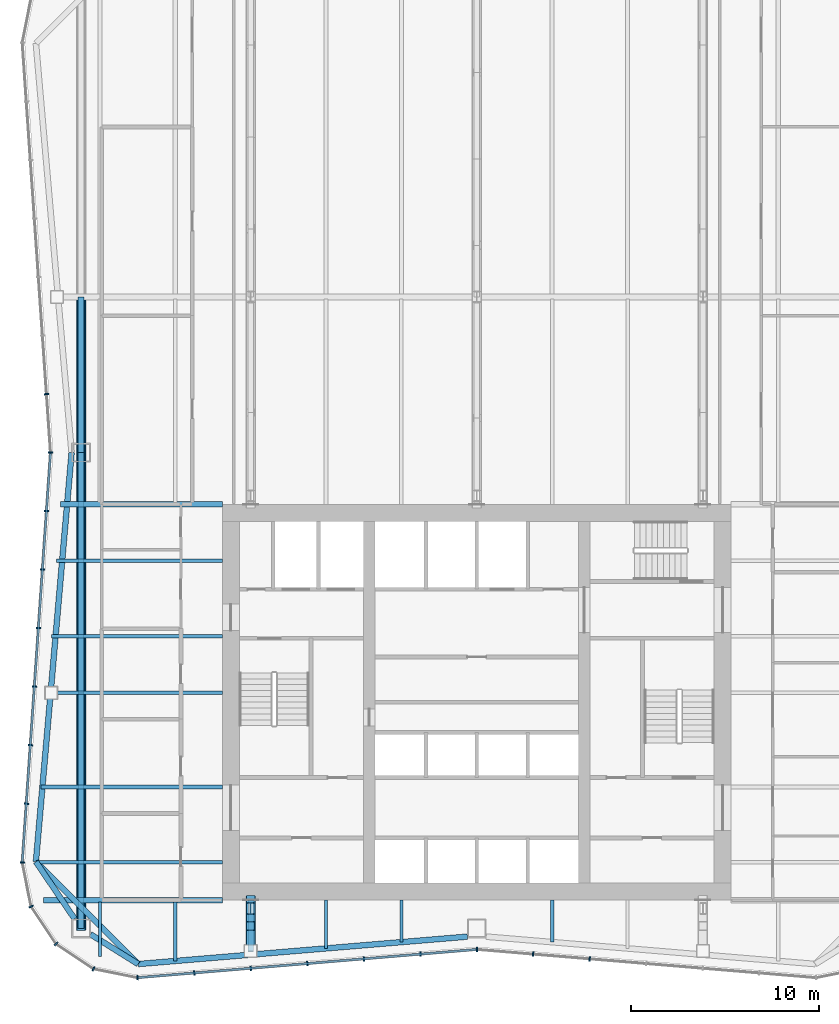
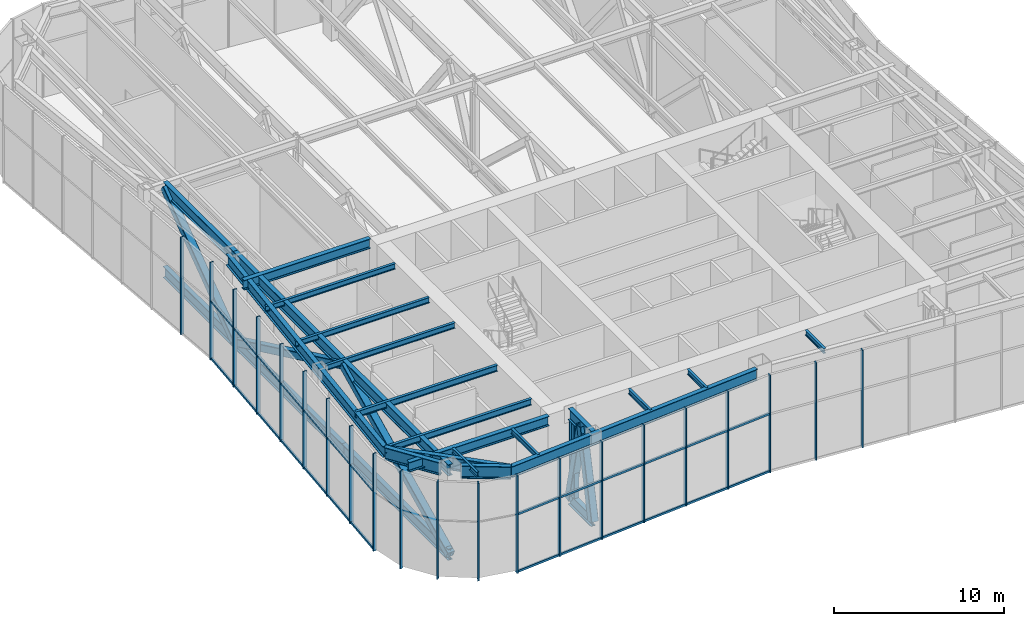
# One storey, part 2 of 14: 39 members, 17 beams, 3 elements without a shape of their own.
"""IFC4 building model written with IfcOpenShell, lengths in metres."""

from ifc_helpers import new_model, si_unit, direction, frame, origin, origin_2d, place, context, subcontext, project, spatial, rectangle, hollow_rectangle, i_section, extrude, material, material_profile, profile_set, type_object, element, aggregate, save


model = new_model("IFC4")

# Units and contexts
model_context = context("Model", 3, precision=1e-05, world=origin(), true_north=direction((0.0, 1.0)))
body_context = subcontext(model_context, "Body", "Model", "MODEL_VIEW")
ifc_project = project(units=[si_unit("LENGTHUNIT", "METRE"), si_unit("AREAUNIT", "SQUARE_METRE"), si_unit("VOLUMEUNIT", "CUBIC_METRE"), si_unit("PLANEANGLEUNIT", "RADIAN"), si_unit("MASSUNIT", "GRAM", prefix="KILO")], contexts=[model_context])

# Site, building, storey
site_placement = place(None, origin())
site = spatial("IfcSite", under=ifc_project, at=site_placement, CompositionType="ELEMENT")
building_placement = place(site_placement, origin())
building = spatial("IfcBuilding", under=site, at=building_placement, Name="Verdant Reach Tower", CompositionType="ELEMENT")
storey_placement = place(building_placement, frame((0.0, 0.0, 226.0)))
storey = spatial("IfcBuildingStorey", under=building, at=storey_placement, Name="L52 Plant", CompositionType="ELEMENT", Elevation=226.0)

# Curtain wall, members
ifc_material_1 = material(Name="Anodised aluminium", Category="aluminium")
curtain_wall_type = type_object("IfcCurtainWallType", Name="EN-CW SYSTEM PLANT", PredefinedType="NOTDEFINED", material=ifc_material_1)
curtain_wall_1_placement = place(storey_placement, origin())
curtain_wall_1 = element("IfcCurtainWall", 1, at=curtain_wall_1_placement, inside=storey, type_object=curtain_wall_type, Name="Curtain wall west, L52", PredefinedType="NOTDEFINED")
ifc_material_profile_1 = material_profile(ifc_material_1, rectangle(XDim=0.238037109375, YDim=0.080078125, at=origin_2d()), Name="Mullion 80x240")
ifc_profile_set_1 = profile_set([ifc_material_profile_1], Name="Anodised aluminium")
member_type_1 = type_object("IfcMemberType", Name="EN-MULLION PLANT", PredefinedType="MULLION", material=ifc_profile_set_1)
member_1_placement = place(storey_placement, frame((-22.8330078125, 44.348876953125, -0.35009765625), z_axis=(0.0, 0.0, 1.0), x_axis=(-0.997630328423, -0.068802091615, 0.0)))
member_1 = element("IfcMember", 2, at=member_1_placement, type_object=member_type_1, Name="Mullion west face part 1 7, L52", PredefinedType="MULLION", context=body_context, shape_type="SweptSolid", body=[
    extrude(rectangle(XDim=0.238037109375, YDim=0.080078125, at=origin_2d()), origin(), (0.0, 0.0, 1.0), 7.0),
])
member_2_placement = place(storey_placement, frame((-22.618896484375, 41.25, -0.35009765625), z_axis=(0.0, 0.0, 1.0), x_axis=(-1.0, 0.0, 0.0)))
member_2 = element("IfcMember", 3, at=member_2_placement, type_object=member_type_1, Name="Mullion west face part 2 1, L52", PredefinedType="MULLION", context=body_context, shape_type="SweptSolid", body=[
    extrude(rectangle(XDim=0.238037109375, YDim=0.080078125, at=origin_2d()), origin(), (0.0, 0.0, 1.0), 7.0),
])
member_3_placement = place(storey_placement, frame((-22.8330078125, 38.151123046875, -0.35009765625), z_axis=(0.0, 0.0, 1.0), x_axis=(-0.997630328423, 0.068802091615, 0.0)))
member_3 = element("IfcMember", 4, at=member_3_placement, type_object=member_type_1, Name="Mullion west face part 2 2, L52", PredefinedType="MULLION", context=body_context, shape_type="SweptSolid", body=[
    extrude(rectangle(XDim=0.238037109375, YDim=0.080078125, at=origin_2d()), origin(), (0.0, 0.0, 1.0), 7.0),
])
member_4_placement = place(storey_placement, frame((-23.04736328125, 35.0439453125, -0.35009765625), z_axis=(0.0, 0.0, 1.0), x_axis=(-0.997630328423, 0.068802091615, 0.0)))
member_4 = element("IfcMember", 5, at=member_4_placement, type_object=member_type_1, Name="Mullion west face part 2 3, L52", PredefinedType="MULLION", context=body_context, shape_type="SweptSolid", body=[
    extrude(rectangle(XDim=0.238037109375, YDim=0.080078125, at=origin_2d()), origin(), (0.0, 0.0, 1.0), 7.0),
])
member_5_placement = place(storey_placement, frame((-23.261474609375, 31.936767578125, -0.35009765625), z_axis=(0.0, 0.0, 1.0), x_axis=(-0.997630328423, 0.068802091615, 0.0)))
member_5 = element("IfcMember", 6, at=member_5_placement, type_object=member_type_1, Name="Mullion west face part 2 4, L52", PredefinedType="MULLION", context=body_context, shape_type="SweptSolid", body=[
    extrude(rectangle(XDim=0.238037109375, YDim=0.080078125, at=origin_2d()), origin(), (0.0, 0.0, 1.0), 7.0),
])
member_6_placement = place(storey_placement, frame((-23.475830078125, 28.82958984375, -0.35009765625), z_axis=(0.0, 0.0, 1.0), x_axis=(-0.997630328423, 0.068802091615, 0.0)))
member_6 = element("IfcMember", 7, at=member_6_placement, type_object=member_type_1, Name="Mullion west face part 2 5, L52", PredefinedType="MULLION", context=body_context, shape_type="SweptSolid", body=[
    extrude(rectangle(XDim=0.238037109375, YDim=0.080078125, at=origin_2d()), origin(), (0.0, 0.0, 1.0), 7.0),
])
member_7_placement = place(storey_placement, frame((-23.690185546875, 25.722412109375, -0.35009765625), z_axis=(0.0, 0.0, 1.0), x_axis=(-0.997630328423, 0.068802091615, 0.0)))
member_7 = element("IfcMember", 8, at=member_7_placement, type_object=member_type_1, Name="Mullion west face part 2 6, L52", PredefinedType="MULLION", context=body_context, shape_type="SweptSolid", body=[
    extrude(rectangle(XDim=0.238037109375, YDim=0.080078125, at=origin_2d()), origin(), (0.0, 0.0, 1.0), 7.0),
])
member_8_placement = place(storey_placement, frame((-23.904541015625, 22.615234375, -0.35009765625), z_axis=(0.0, 0.0, 1.0), x_axis=(-0.997630328423, 0.068802091615, 0.0)))
member_8 = element("IfcMember", 9, at=member_8_placement, type_object=member_type_1, Name="Mullion west face part 2 7, L52", PredefinedType="MULLION", context=body_context, shape_type="SweptSolid", body=[
    extrude(rectangle(XDim=0.238037109375, YDim=0.080078125, at=origin_2d()), origin(), (0.0, 0.0, 1.0), 7.0),
])

curtain_wall_2_placement = place(storey_placement, origin())
curtain_wall_2 = element("IfcCurtainWall", 10, at=curtain_wall_2_placement, inside=storey, type_object=curtain_wall_type, Name="Curtain wall south-west corner, L52", PredefinedType="NOTDEFINED")
member_9_placement = place(storey_placement, frame((-24.11865234375, 19.492431640625, -0.35009765625), z_axis=(0.0, 0.0, 1.0), x_axis=(-0.997969180898, -0.063698618332, 0.0)))
member_9 = element("IfcMember", 11, at=member_9_placement, type_object=member_type_1, Name="Mullion south-west corner 1, L52", PredefinedType="MULLION", context=body_context, shape_type="SweptSolid", body=[
    extrude(rectangle(XDim=0.238037109375, YDim=0.080078125, at=origin_2d()), origin(), (0.0, 0.0, 1.0), 7.0),
])
member_10_placement = place(storey_placement, frame((-23.6533203125, 17.158447265625, -0.35009765625), z_axis=(0.0, 0.0, 1.0), x_axis=(-0.923875215753, -0.382693853776, 0.0)))
member_10 = element("IfcMember", 12, at=member_10_placement, type_object=member_type_1, Name="Mullion south-west corner 2, L52", PredefinedType="MULLION", context=body_context, shape_type="SweptSolid", body=[
    extrude(rectangle(XDim=0.238037109375, YDim=0.080078125, at=origin_2d()), origin(), (0.0, 0.0, 1.0), 7.0),
])
member_11_placement = place(storey_placement, frame((-22.32666015625, 15.17333984375, -0.35009765625), z_axis=(0.0, 0.0, 1.0), x_axis=(-0.707106781187, -0.707106781187, 0.0)))
member_11 = element("IfcMember", 13, at=member_11_placement, type_object=member_type_1, Name="Mullion south-west corner 3, L52", PredefinedType="MULLION", context=body_context, shape_type="SweptSolid", body=[
    extrude(rectangle(XDim=0.238037109375, YDim=0.080078125, at=origin_2d()), origin(), (0.0, 0.0, 1.0), 7.0),
])
member_12_placement = place(storey_placement, frame((-20.341552734375, 13.8466796875, -0.35009765625), z_axis=(0.0, 0.0, 1.0), x_axis=(-0.382693853776, -0.923875215753, 0.0)))
member_12 = element("IfcMember", 14, at=member_12_placement, type_object=member_type_1, Name="Mullion south-west corner 4, L52", PredefinedType="MULLION", context=body_context, shape_type="SweptSolid", body=[
    extrude(rectangle(XDim=0.238037109375, YDim=0.080078125, at=origin_2d()), origin(), (0.0, 0.0, 1.0), 7.0),
])
aggregate(curtain_wall_2, [member_9, member_10, member_11, member_12])

curtain_wall_3_placement = place(storey_placement, origin())
curtain_wall_3 = element("IfcCurtainWall", 15, at=curtain_wall_3_placement, inside=storey, type_object=curtain_wall_type, Name="Curtain wall south, L52", PredefinedType="NOTDEFINED")
member_13_placement = place(storey_placement, frame((-18.0068359375, 13.381103515625, -0.35009765625), z_axis=(0.0, 0.0, 1.0), x_axis=(-0.056569187765, -0.998398681387, 0.0)))
member_13 = element("IfcMember", 16, at=member_13_placement, type_object=member_type_1, Name="Mullion south face part 1 1, L52", PredefinedType="MULLION", context=body_context, shape_type="SweptSolid", body=[
    extrude(rectangle(XDim=0.238037109375, YDim=0.080078125, at=origin_2d()), origin(), (0.0, 0.0, 1.0), 7.0),
])
member_14_placement = place(storey_placement, frame((-14.990234375, 13.63134765625, -0.35009765625), z_axis=(0.0, 0.0, 1.0), x_axis=(0.083045479859, -0.996545758244, 0.0)))
member_14 = element("IfcMember", 17, at=member_14_placement, type_object=member_type_1, Name="Mullion south face part 1 2, L52", PredefinedType="MULLION", context=body_context, shape_type="SweptSolid", body=[
    extrude(rectangle(XDim=0.238037109375, YDim=0.080078125, at=origin_2d()), origin(), (0.0, 0.0, 1.0), 7.0),
])
member_15_placement = place(storey_placement, frame((-11.990234375, 13.88134765625, -0.35009765625), z_axis=(0.0, 0.0, 1.0), x_axis=(0.083045479859, -0.996545758244, 0.0)))
member_15 = element("IfcMember", 18, at=member_15_placement, type_object=member_type_1, Name="Mullion south face part 1 3, L52", PredefinedType="MULLION", context=body_context, shape_type="SweptSolid", body=[
    extrude(rectangle(XDim=0.238037109375, YDim=0.080078125, at=origin_2d()), origin(), (0.0, 0.0, 1.0), 7.0),
])
member_16_placement = place(storey_placement, frame((-8.990234375, 14.13134765625, -0.35009765625), z_axis=(0.0, 0.0, 1.0), x_axis=(0.083045479859, -0.996545758244, 0.0)))
member_16 = element("IfcMember", 19, at=member_16_placement, type_object=member_type_1, Name="Mullion south face part 1 4, L52", PredefinedType="MULLION", context=body_context, shape_type="SweptSolid", body=[
    extrude(rectangle(XDim=0.238037109375, YDim=0.080078125, at=origin_2d()), origin(), (0.0, 0.0, 1.0), 7.0),
])
member_17_placement = place(storey_placement, frame((-5.990234375, 14.38134765625, -0.35009765625), z_axis=(0.0, 0.0, 1.0), x_axis=(0.083045479859, -0.996545758244, 0.0)))
member_17 = element("IfcMember", 20, at=member_17_placement, type_object=member_type_1, Name="Mullion south face part 1 5, L52", PredefinedType="MULLION", context=body_context, shape_type="SweptSolid", body=[
    extrude(rectangle(XDim=0.238037109375, YDim=0.080078125, at=origin_2d()), origin(), (0.0, 0.0, 1.0), 7.0),
])
member_18_placement = place(storey_placement, frame((-2.990234375, 14.63134765625, -0.35009765625), z_axis=(0.0, 0.0, 1.0), x_axis=(0.083045479859, -0.996545758244, 0.0)))
member_18 = element("IfcMember", 21, at=member_18_placement, type_object=member_type_1, Name="Mullion south face part 1 6, L52", PredefinedType="MULLION", context=body_context, shape_type="SweptSolid", body=[
    extrude(rectangle(XDim=0.238037109375, YDim=0.080078125, at=origin_2d()), origin(), (0.0, 0.0, 1.0), 7.0),
])
member_19_placement = place(storey_placement, frame((0.0, 14.881103515625, -0.35009765625), z_axis=(0.0, 0.0, 1.0), x_axis=(0.0, -1.0, 0.0)))
member_19 = element("IfcMember", 22, at=member_19_placement, type_object=member_type_1, Name="Mullion south face part 2 1, L52", PredefinedType="MULLION", context=body_context, shape_type="SweptSolid", body=[
    extrude(rectangle(XDim=0.238037109375, YDim=0.080078125, at=origin_2d()), origin(), (0.0, 0.0, 1.0), 7.0),
])
member_20_placement = place(storey_placement, frame((2.990234375, 14.63134765625, -0.35009765625), z_axis=(0.0, 0.0, 1.0), x_axis=(-0.083045479859, -0.996545758244, 0.0)))
member_20 = element("IfcMember", 23, at=member_20_placement, type_object=member_type_1, Name="Mullion south face part 2 2, L52", PredefinedType="MULLION", context=body_context, shape_type="SweptSolid", body=[
    extrude(rectangle(XDim=0.238037109375, YDim=0.080078125, at=origin_2d()), origin(), (0.0, 0.0, 1.0), 7.0),
])
member_21_placement = place(storey_placement, frame((5.990234375, 14.38134765625, -0.35009765625), z_axis=(0.0, 0.0, 1.0), x_axis=(-0.083045479859, -0.996545758244, 0.0)))
member_21 = element("IfcMember", 24, at=member_21_placement, type_object=member_type_1, Name="Mullion south face part 2 3, L52", PredefinedType="MULLION", context=body_context, shape_type="SweptSolid", body=[
    extrude(rectangle(XDim=0.238037109375, YDim=0.080078125, at=origin_2d()), origin(), (0.0, 0.0, 1.0), 7.0),
])

# Member
ifc_material_profile_2 = material_profile(ifc_material_1, rectangle(XDim=0.1201171875, YDim=0.14990234375, at=origin_2d()), Name="Transom 150x120")
ifc_profile_set_2 = profile_set([ifc_material_profile_2], Name="Anodised aluminium")
member_type_2 = type_object("IfcMemberType", Name="EN-TRANSOM PLANT", PredefinedType="USERDEFINED", material=ifc_profile_set_2)
member_22_placement = place(storey_placement, frame((-22.621826171875, 41.210205078125, -0.27490234375), z_axis=(-0.068761218296, -0.997633146431, 0.0), x_axis=(0.997633146431, -0.068761218296, 0.0)))
member_22 = element("IfcMember", 25, at=member_22_placement, type_object=member_type_2, Name="Transom west face part 2 1.1, L52", ObjectType="TRANSOM", PredefinedType="USERDEFINED", context=body_context, shape_type="SweptSolid", body=[
    extrude(rectangle(XDim=0.1201171875, YDim=0.14990234375, at=origin_2d()), origin(), (0.0, 0.0, 1.0), 21.7294921875),
])

member_23_placement = place(storey_placement, frame((-22.621826171875, 41.210205078125, 3.85009765625), z_axis=(-0.068761218296, -0.997633146431, 0.0), x_axis=(0.997633146431, -0.068761218296, 0.0)))
member_23 = element("IfcMember", 26, at=member_23_placement, type_object=member_type_2, Name="Transom west face part 2 1.2, L52", ObjectType="TRANSOM", PredefinedType="USERDEFINED", context=body_context, shape_type="SweptSolid", body=[
    extrude(rectangle(XDim=0.1201171875, YDim=0.14990234375, at=origin_2d()), origin(), (0.0, 0.0, 1.0), 21.7294921875),
])

aggregate(curtain_wall_1, [member_1, member_2, member_3, member_4, member_5, member_6, member_7, member_8, member_22, member_23])

member_24_placement = place(storey_placement, frame((-17.966796875, 13.384521484375, -0.27490234375), z_axis=(0.996549220477, 0.083003922598, 0.0), x_axis=(-0.083003922598, 0.996549220477, 0.0)))
member_24 = element("IfcMember", 27, at=member_24_placement, type_object=member_type_2, Name="Transom south face part 1 1.1, L52", ObjectType="TRANSOM", PredefinedType="USERDEFINED", context=body_context, shape_type="SweptSolid", body=[
    extrude(rectangle(XDim=0.1201171875, YDim=0.14990234375, at=origin_2d()), origin(), (0.0, 0.0, 1.0), 17.989013671875),
])

member_25_placement = place(storey_placement, frame((-17.966796875, 13.384521484375, 3.85009765625), z_axis=(0.996549220477, 0.083003922598, 0.0), x_axis=(-0.083003922598, 0.996549220477, 0.0)))
member_25 = element("IfcMember", 28, at=member_25_placement, type_object=member_type_2, Name="Transom south face part 1 1.2, L52", ObjectType="TRANSOM", PredefinedType="USERDEFINED", context=body_context, shape_type="SweptSolid", body=[
    extrude(rectangle(XDim=0.1201171875, YDim=0.14990234375, at=origin_2d()), origin(), (0.0, 0.0, 1.0), 17.989013671875),
])

aggregate(curtain_wall_3, [member_13, member_14, member_15, member_16, member_17, member_18, member_24, member_25, member_19, member_20, member_21])

# Beams
ifc_material_2 = material(Name="Steel S355", Category="steel")
ifc_material_profile_3 = material_profile(ifc_material_2, i_section(OverallWidth=0.300048828125, OverallDepth=0.699951171875, WebThickness=0.01708984375, FlangeThickness=0.031982421875, FilletRadius=0.027099609375, at=origin_2d()), Name="HEB 700")
ifc_profile_set_3 = profile_set([ifc_material_profile_3], Name="Steel S355")
beam_type_1 = type_object("IfcBeamType", Name="ST-BEAM-HEB700", PredefinedType="BEAM", material=ifc_profile_set_3)
beam_1_placement = place(storey_placement, frame((-13.5, 38.5, 6.52001953125), z_axis=(-1.0, 0.0, 0.0), x_axis=(0.0, -1.0, 0.0)))
element("IfcBeam", 29, at=beam_1_placement, inside=storey, type_object=beam_type_1, Name="Trimmer beam, L52 Plant", PredefinedType="BEAM", context=body_context, shape_type="SweptSolid", body=[
    extrude(i_section(OverallWidth=0.300048828125, OverallDepth=0.699951171875, WebThickness=0.01708984375, FlangeThickness=0.031982421875, FilletRadius=0.027099609375, at=origin_2d()), origin(), (0.0, 0.0, 1.0), 8.588134765625),
])
beam_2_placement = place(storey_placement, frame((-13.5, 17.5, 6.52001953125), z_axis=(-1.0, 0.0, 0.0), x_axis=(0.0, -1.0, 0.0)))
element("IfcBeam", 30, at=beam_2_placement, inside=storey, type_object=beam_type_1, Name="Trimmer beam, L52 Plant", PredefinedType="BEAM", context=body_context, shape_type="SweptSolid", body=[
    extrude(i_section(OverallWidth=0.300048828125, OverallDepth=0.699951171875, WebThickness=0.01708984375, FlangeThickness=0.031982421875, FilletRadius=0.027099609375, at=origin_2d()), origin(), (0.0, 0.0, 1.0), 9.490478515625),
])
ifc_material_profile_4 = material_profile(ifc_material_2, i_section(OverallWidth=0.302001953125, OverallDepth=0.909912109375, WebThickness=0.02099609375, FlangeThickness=0.0400390625, FilletRadius=0.030029296875, at=origin_2d()), Name="HEM 900")
ifc_profile_set_4 = profile_set([ifc_material_profile_4], Name="Steel S355")
beam_type_2 = type_object("IfcBeamType", Name="ST-BEAM-HEM900", PredefinedType="BEAM", material=ifc_profile_set_4)
beam_3_placement = place(storey_placement, frame((-20.5, 15.687744140625, 6.4150390625), z_axis=(0.848163521635, -0.529734500073, 0.0), x_axis=(0.529734500073, 0.848163521635, 0.0)))
element("IfcBeam", 31, at=beam_3_placement, inside=storey, type_object=beam_type_2, Name="Column stub beam, L52 Plant", PredefinedType="BEAM", context=body_context, shape_type="SweptSolid", body=[
    extrude(i_section(OverallWidth=0.302001953125, OverallDepth=0.909912109375, WebThickness=0.02099609375, FlangeThickness=0.0400390625, FilletRadius=0.030029296875, at=origin_2d()), origin(), (0.0, 0.0, 1.0), 2.98779296875),
])
beam_4_placement = place(storey_placement, frame((-21.33837890625, 16.5, 6.4150390625), z_axis=(-0.560703975309, 0.828016335631, 0.0), x_axis=(-0.828016335631, -0.560703975309, 0.0)))
element("IfcBeam", 32, at=beam_4_placement, inside=storey, type_object=beam_type_2, Name="Column stub beam, L52 Plant", PredefinedType="BEAM", context=body_context, shape_type="SweptSolid", body=[
    extrude(i_section(OverallWidth=0.302001953125, OverallDepth=0.909912109375, WebThickness=0.02099609375, FlangeThickness=0.0400390625, FilletRadius=0.030029296875, at=origin_2d()), origin(), (0.0, 0.0, 1.0), 3.669677734375),
])
ifc_material_profile_5 = material_profile(ifc_material_2, i_section(OverallWidth=0.169921875, OverallDepth=0.360107421875, WebThickness=0.008056640625, FlangeThickness=0.0126953125, FilletRadius=0.01806640625, at=origin_2d()), Name="IPE 360")
ifc_profile_set_5 = profile_set([ifc_material_profile_5], Name="Steel S355")
beam_type_3 = type_object("IfcBeamType", Name="ST-JOIST-IPE360", PredefinedType="JOIST", material=ifc_profile_set_5)
beam_5_placement = place(storey_placement, frame((-20.0, 17.39990234375, 6.68994140625), z_axis=(0.0, -1.0, 0.0), x_axis=(1.0, 0.0, 0.0)))
element("IfcBeam", 33, at=beam_5_placement, inside=storey, type_object=beam_type_3, Name="Floor joist, L52 Plant", PredefinedType="JOIST", context=body_context, shape_type="SweptSolid", body=[
    extrude(i_section(OverallWidth=0.169921875, OverallDepth=0.360107421875, WebThickness=0.008056640625, FlangeThickness=0.0126953125, FilletRadius=0.01806640625, at=origin_2d()), origin(), (0.0, 0.0, 1.0), 2.890380859375),
])
beam_6_placement = place(storey_placement, frame((-16.0, 17.39990234375, 6.68994140625), z_axis=(0.0, -1.0, 0.0), x_axis=(1.0, 0.0, 0.0)))
element("IfcBeam", 34, at=beam_6_placement, inside=storey, type_object=beam_type_3, Name="Floor joist, L52 Plant", PredefinedType="JOIST", context=body_context, shape_type="SweptSolid", body=[
    extrude(i_section(OverallWidth=0.169921875, OverallDepth=0.360107421875, WebThickness=0.008056640625, FlangeThickness=0.0126953125, FilletRadius=0.01806640625, at=origin_2d()), origin(), (0.0, 0.0, 1.0), 3.131103515625),
])
beam_7_placement = place(storey_placement, frame((-8.0, 17.5, 6.68994140625), z_axis=(0.0, -1.0, 0.0), x_axis=(1.0, 0.0, 0.0)))
element("IfcBeam", 35, at=beam_7_placement, inside=storey, type_object=beam_type_3, Name="Floor joist, L52 Plant", PredefinedType="JOIST", context=body_context, shape_type="SweptSolid", body=[
    extrude(i_section(OverallWidth=0.169921875, OverallDepth=0.360107421875, WebThickness=0.008056640625, FlangeThickness=0.0126953125, FilletRadius=0.01806640625, at=origin_2d()), origin(), (0.0, 0.0, 1.0), 2.564697265625),
])
for number, where, z_axis, x_axis, name in (
    (36, (-4.0, 17.5, 6.68994140625), (0.0, -1.0, 0.0), (1.0, 0.0, 0.0), "Floor joist, L52 Plant"),
    (37, (4.0, 17.5, 6.68994140625), (0.0, -1.0, 0.0), (1.0, 0.0, 0.0), "Floor joist, L52 Plant"),
):
    element("IfcBeam", number, at=place(storey_placement, frame(where, z_axis=z_axis, x_axis=x_axis)), inside=storey, type_object=beam_type_3, Name=name, PredefinedType="JOIST", context=body_context, shape_type="SweptSolid", body=[
        extrude(i_section(OverallWidth=0.169921875, OverallDepth=0.360107421875, WebThickness=0.008056640625, FlangeThickness=0.0126953125, FilletRadius=0.01806640625, at=origin_2d()), origin(), (0.0, 0.0, 1.0), 2.231201171875),
    ])
ifc_material_profile_6 = material_profile(ifc_material_2, i_section(OverallWidth=0.179931640625, OverallDepth=0.39990234375, WebThickness=0.008544921875, FlangeThickness=0.013427734375, FilletRadius=0.02099609375, at=origin_2d()), Name="IPE 400")
ifc_profile_set_6 = profile_set([ifc_material_profile_6], Name="Steel S355")
beam_type_4 = type_object("IfcBeamType", Name="ST-JOIST-IPE400", PredefinedType="JOIST", material=ifc_profile_set_6)
beam_8_placement = place(storey_placement, frame((-13.5, 28.5, 6.669921875), z_axis=(-1.0, 0.0, 0.0), x_axis=(0.0, -1.0, 0.0)))
element("IfcBeam", 38, at=beam_8_placement, inside=storey, type_object=beam_type_4, Name="Floor joist, L52 Plant", PredefinedType="JOIST", context=body_context, shape_type="SweptSolid", body=[
    extrude(i_section(OverallWidth=0.179931640625, OverallDepth=0.39990234375, WebThickness=0.008544921875, FlangeThickness=0.013427734375, FilletRadius=0.02099609375, at=origin_2d()), origin(), (0.0, 0.0, 1.0), 8.775390625),
])
beam_9_placement = place(storey_placement, frame((-13.5, 31.5, 6.669921875), z_axis=(-1.0, 0.0, 0.0), x_axis=(0.0, -1.0, 0.0)))
element("IfcBeam", 39, at=beam_9_placement, inside=storey, type_object=beam_type_4, Name="Floor joist, L52 Plant", PredefinedType="JOIST", context=body_context, shape_type="SweptSolid", body=[
    extrude(i_section(OverallWidth=0.179931640625, OverallDepth=0.39990234375, WebThickness=0.008544921875, FlangeThickness=0.013427734375, FilletRadius=0.02099609375, at=origin_2d()), origin(), (0.0, 0.0, 1.0), 9.071044921875),
])
beam_10_placement = place(storey_placement, frame((-13.5, 35.5, 6.669921875), z_axis=(-1.0, 0.0, 0.0), x_axis=(0.0, -1.0, 0.0)))
element("IfcBeam", 40, at=beam_10_placement, inside=storey, type_object=beam_type_4, Name="Floor joist, L52 Plant", PredefinedType="JOIST", context=body_context, shape_type="SweptSolid", body=[
    extrude(i_section(OverallWidth=0.179931640625, OverallDepth=0.39990234375, WebThickness=0.008544921875, FlangeThickness=0.013427734375, FilletRadius=0.02099609375, at=origin_2d()), origin(), (0.0, 0.0, 1.0), 8.795166015625),
])
ifc_material_profile_7 = material_profile(ifc_material_2, i_section(OverallWidth=0.18994140625, OverallDepth=0.449951171875, WebThickness=0.009521484375, FlangeThickness=0.0146484375, FilletRadius=0.02099609375, at=origin_2d()), Name="IPE 450")
ifc_profile_set_7 = profile_set([ifc_material_profile_7], Name="Steel S355")
beam_type_5 = type_object("IfcBeamType", Name="ST-JOIST-IPE450", PredefinedType="JOIST", material=ifc_profile_set_7)
beam_11_placement = place(storey_placement, frame((-13.5, 19.5, 6.64501953125), z_axis=(-1.0, 0.0, 0.0), x_axis=(0.0, -1.0, 0.0)))
element("IfcBeam", 41, at=beam_11_placement, inside=storey, type_object=beam_type_5, Name="Floor joist, L52 Plant", PredefinedType="JOIST", context=body_context, shape_type="SweptSolid", body=[
    extrude(i_section(OverallWidth=0.18994140625, OverallDepth=0.449951171875, WebThickness=0.009521484375, FlangeThickness=0.0146484375, FilletRadius=0.02099609375, at=origin_2d()), origin(), (0.0, 0.0, 1.0), 9.88818359375),
])
beam_12_placement = place(storey_placement, frame((-13.5, 23.5, 6.64501953125), z_axis=(-1.0, 0.0, 0.0), x_axis=(0.0, -1.0, 0.0)))
element("IfcBeam", 42, at=beam_12_placement, inside=storey, type_object=beam_type_5, Name="Floor joist, L52 Plant", PredefinedType="JOIST", context=body_context, shape_type="SweptSolid", body=[
    extrude(i_section(OverallWidth=0.18994140625, OverallDepth=0.449951171875, WebThickness=0.009521484375, FlangeThickness=0.0146484375, FilletRadius=0.02099609375, at=origin_2d()), origin(), (0.0, 0.0, 1.0), 9.622802734375),
])
ifc_material_profile_8 = material_profile(ifc_material_2, i_section(OverallWidth=0.300048828125, OverallDepth=0.800048828125, WebThickness=0.017578125, FlangeThickness=0.032958984375, FilletRadius=0.030029296875, at=origin_2d()), Name="HEB 800")
ifc_profile_set_8 = profile_set([ifc_material_profile_8], Name="Steel S355")
beam_type_6 = type_object("IfcBeamType", Name="ST-SPANDREL-HEB800", PredefinedType="SPANDREL", material=ifc_profile_set_8)
beam_13_placement = place(storey_placement, frame((-0.5, 15.560302734375, 6.469970703125), z_axis=(-0.99654652675, -0.083036257282, 0.0), x_axis=(0.083036257282, -0.99654652675, 0.0)))
element("IfcBeam", 43, at=beam_13_placement, inside=storey, type_object=beam_type_6, Name="Edge beam, L52 Plant", PredefinedType="SPANDREL", context=body_context, shape_type="SweptSolid", body=[
    extrude(i_section(OverallWidth=0.300048828125, OverallDepth=0.800048828125, WebThickness=0.017578125, FlangeThickness=0.032958984375, FilletRadius=0.030029296875, at=origin_2d()), origin(), (0.0, 0.0, 1.0), 17.5263671875),
])
beam_14_placement = place(storey_placement, frame((-23.39599609375, 19.53857421875, 6.469970703125), z_axis=(0.086996024331, 0.996208658741, 0.0), x_axis=(-0.996208658741, 0.086996024331, 0.0)))
element("IfcBeam", 44, at=beam_14_placement, inside=storey, type_object=beam_type_6, Name="Edge beam, L52 Plant", PredefinedType="SPANDREL", context=body_context, shape_type="SweptSolid", body=[
    extrude(i_section(OverallWidth=0.300048828125, OverallDepth=0.800048828125, WebThickness=0.017578125, FlangeThickness=0.032958984375, FilletRadius=0.030029296875, at=origin_2d()), origin(), (0.0, 0.0, 1.0), 21.7939453125),
])
ifc_material_profile_9 = material_profile(ifc_material_2, i_section(OverallWidth=0.302001953125, OverallDepth=0.909912109375, WebThickness=0.02099609375, FlangeThickness=0.0400390625, FilletRadius=0.030029296875, at=origin_2d()), Name="HEM 900")
ifc_profile_set_9 = profile_set([ifc_material_profile_9], Name="Steel S355")
beam_type_7 = type_object("IfcBeamType", Name="ST-SPANDREL-HEM900", PredefinedType="SPANDREL", material=ifc_profile_set_9)
beam_15_placement = place(storey_placement, frame((-17.9658203125, 14.10498046875, 6.4150390625), z_axis=(-0.706884275642, 0.707329216738, 0.0), x_axis=(-0.707329216738, -0.706884275642, 0.0)))
element("IfcBeam", 45, at=beam_15_placement, inside=storey, type_object=beam_type_7, Name="Edge beam, L52 Plant", PredefinedType="SPANDREL", context=body_context, shape_type="SweptSolid", body=[
    extrude(i_section(OverallWidth=0.302001953125, OverallDepth=0.909912109375, WebThickness=0.02099609375, FlangeThickness=0.0400390625, FilletRadius=0.030029296875, at=origin_2d()), origin(), (0.0, 0.0, 1.0), 7.681884765625),
])

# Members
ifc_material_3 = material(Name="Steel S460", Category="steel")
ifc_material_profile_10 = material_profile(ifc_material_3, hollow_rectangle(XDim=0.5, YDim=0.5, WallThickness=0.02490234375, InnerFilletRadius=0.02490234375, OuterFilletRadius=0.050048828125, at=origin_2d()), Name="RHS 500x500x25")
ifc_profile_set_10 = profile_set([ifc_material_profile_10], Name="Steel S460")
member_type_3 = type_object("IfcMemberType", Name="ST-TRUSS-BRACE-RHS500x500x25", PredefinedType="BRACE", material=ifc_profile_set_10)
member_26_placement = place(storey_placement, frame((-12.0, 17.5, 0.406982421875), z_axis=(0.0, -0.22134071783, 0.975196537438), x_axis=(1.0, 0.0, 0.0)))
element("IfcMember", 46, at=member_26_placement, inside=storey, type_object=member_type_3, Name="Belt truss C south, diagonal, L52 Plant", PredefinedType="BRACE", context=body_context, shape_type="SweptSolid", body=[
    extrude(hollow_rectangle(XDim=0.5, YDim=0.5, WallThickness=0.02490234375, InnerFilletRadius=0.02490234375, OuterFilletRadius=0.050048828125, at=origin_2d()), origin(), (0.0, 0.0, 1.0), 6.2099609375),
])
member_27_placement = place(storey_placement, frame((-12.0, 16.12548828125, 6.462890625), z_axis=(0.0, -0.21384368681, -0.976867891586), x_axis=(1.0, 0.0, 0.0)))
element("IfcMember", 47, at=member_27_placement, inside=storey, type_object=member_type_3, Name="Belt truss C south, diagonal, L52 Plant", PredefinedType="BRACE", context=body_context, shape_type="SweptSolid", body=[
    extrude(hollow_rectangle(XDim=0.5, YDim=0.5, WallThickness=0.02490234375, InnerFilletRadius=0.02490234375, OuterFilletRadius=0.050048828125, at=origin_2d()), origin(), (0.0, 0.0, 1.0), 6.19921875),
])
member_28_placement = place(storey_placement, frame((-21.0, 16.0, 0.406982421875), z_axis=(0.0, 0.899946841139, 0.43599963661), x_axis=(-1.0, 0.0, 0.0)))
element("IfcMember", 48, at=member_28_placement, inside=storey, type_object=member_type_3, Name="Belt truss B west, diagonal, L52 Plant", PredefinedType="BRACE", context=body_context, shape_type="SweptSolid", body=[
    extrude(hollow_rectangle(XDim=0.5, YDim=0.5, WallThickness=0.02490234375, InnerFilletRadius=0.02490234375, OuterFilletRadius=0.050048828125, at=origin_2d()), origin(), (0.0, 0.0, 1.0), 13.8896484375),
])
member_29_placement = place(storey_placement, frame((-21.0, 28.5, 6.462890625), z_axis=(0.0, 0.903286888821, -0.429037057238), x_axis=(-1.0, 0.0, 0.0)))
element("IfcMember", 49, at=member_29_placement, inside=storey, type_object=member_type_3, Name="Belt truss B west, diagonal, L52 Plant", PredefinedType="BRACE", context=body_context, shape_type="SweptSolid", body=[
    extrude(hollow_rectangle(XDim=0.5, YDim=0.5, WallThickness=0.02490234375, InnerFilletRadius=0.02490234375, OuterFilletRadius=0.050048828125, at=origin_2d()), origin(), (0.0, 0.0, 1.0), 14.115234375),
])
member_30_placement = place(storey_placement, frame((-21.0, 41.25, 0.406982421875), z_axis=(0.0, 0.806129603415, 0.591739015528), x_axis=(-1.0, 0.0, 0.0)))
element("IfcMember", 50, at=member_30_placement, inside=storey, type_object=member_type_3, Name="Belt truss B west, diagonal, L52 Plant", PredefinedType="BRACE", context=body_context, shape_type="SweptSolid", body=[
    extrude(hollow_rectangle(XDim=0.5, YDim=0.5, WallThickness=0.02490234375, InnerFilletRadius=0.02490234375, OuterFilletRadius=0.050048828125, at=origin_2d()), origin(), (0.0, 0.0, 1.0), 10.234130859375),
])
ifc_material_profile_11 = material_profile(ifc_material_3, i_section(OverallWidth=0.302978515625, OverallDepth=0.81396484375, WebThickness=0.02099609375, FlangeThickness=0.0400390625, FilletRadius=0.030029296875, at=origin_2d()), Name="HEM 800")
ifc_profile_set_11 = profile_set([ifc_material_profile_11], Name="Steel S460")
member_type_4 = type_object("IfcMemberType", Name="ST-TRUSS-CHORD-HEM800", PredefinedType="CHORD", material=ifc_profile_set_11)
member_31_placement = place(storey_placement, frame((-12.0, 17.5, 6.462890625), z_axis=(0.0, -1.0, 0.0), x_axis=(1.0, 0.0, 0.0)))
element("IfcMember", 51, at=member_31_placement, inside=storey, type_object=member_type_4, Name="Belt truss C south, top chord, L52 Plant", PredefinedType="CHORD", context=body_context, shape_type="SweptSolid", body=[
    extrude(i_section(OverallWidth=0.302978515625, OverallDepth=0.81396484375, WebThickness=0.02099609375, FlangeThickness=0.0400390625, FilletRadius=0.030029296875, at=origin_2d()), origin(), (0.0, 0.0, 1.0), 2.748779296875),
])
member_32_placement = place(storey_placement, frame((-12.0, 17.5, 0.406982421875), z_axis=(0.0, -1.0, 0.0), x_axis=(1.0, 0.0, 0.0)))
element("IfcMember", 52, at=member_32_placement, inside=storey, type_object=member_type_4, Name="Belt truss C south, bottom chord, L52 Plant", PredefinedType="CHORD", context=body_context, shape_type="SweptSolid", body=[
    extrude(i_section(OverallWidth=0.302978515625, OverallDepth=0.81396484375, WebThickness=0.02099609375, FlangeThickness=0.0400390625, FilletRadius=0.030029296875, at=origin_2d()), origin(), (0.0, 0.0, 1.0), 2.7001953125),
])
for number, where, z_axis, x_axis, name in (
    (53, (-21.0, 16.0, 6.462890625), (0.0, 1.0, 0.0), (-1.0, 0.0, 0.0), "Belt truss B west, top chord, L52 Plant"),
    (54, (-21.0, 16.0, 0.406982421875), (0.0, 1.0, 0.0), (-1.0, 0.0, 0.0), "Belt truss B west, bottom chord, L52 Plant"),
):
    element("IfcMember", number, at=place(storey_placement, frame(where, z_axis=z_axis, x_axis=x_axis)), inside=storey, type_object=member_type_4, Name=name, PredefinedType="CHORD", context=body_context, shape_type="SweptSolid", body=[
        extrude(i_section(OverallWidth=0.302978515625, OverallDepth=0.81396484375, WebThickness=0.02099609375, FlangeThickness=0.0400390625, FilletRadius=0.030029296875, at=origin_2d()), origin(), (0.0, 0.0, 1.0), 12.5),
    ])
for number, where, z_axis, x_axis, name in (
    (55, (-21.0, 28.5, 6.462890625), (0.0, 1.0, 0.0), (-1.0, 0.0, 0.0), "Belt truss B west, top chord, L52 Plant"),
    (56, (-21.0, 28.5, 0.406982421875), (0.0, 1.0, 0.0), (-1.0, 0.0, 0.0), "Belt truss B west, bottom chord, L52 Plant"),
):
    element("IfcMember", number, at=place(storey_placement, frame(where, z_axis=z_axis, x_axis=x_axis)), inside=storey, type_object=member_type_4, Name=name, PredefinedType="CHORD", context=body_context, shape_type="SweptSolid", body=[
        extrude(i_section(OverallWidth=0.302978515625, OverallDepth=0.81396484375, WebThickness=0.02099609375, FlangeThickness=0.0400390625, FilletRadius=0.030029296875, at=origin_2d()), origin(), (0.0, 0.0, 1.0), 12.75),
    ])
for number, where, z_axis, x_axis, name in (
    (57, (-21.0, 41.25, 6.462890625), (0.0, 1.0, 0.0), (-1.0, 0.0, 0.0), "Belt truss B west, top chord, L52 Plant"),
    (58, (-21.0, 41.25, 0.406982421875), (0.0, 1.0, 0.0), (-1.0, 0.0, 0.0), "Belt truss B west, bottom chord, L52 Plant"),
):
    element("IfcMember", number, at=place(storey_placement, frame(where, z_axis=z_axis, x_axis=x_axis)), inside=storey, type_object=member_type_4, Name=name, PredefinedType="CHORD", context=body_context, shape_type="SweptSolid", body=[
        extrude(i_section(OverallWidth=0.302978515625, OverallDepth=0.81396484375, WebThickness=0.02099609375, FlangeThickness=0.0400390625, FilletRadius=0.030029296875, at=origin_2d()), origin(), (0.0, 0.0, 1.0), 8.25),
    ])
ifc_material_profile_12 = material_profile(ifc_material_3, i_section(OverallWidth=0.304931640625, OverallDepth=0.6201171875, WebThickness=0.02099609375, FlangeThickness=0.0400390625, FilletRadius=0.027099609375, at=origin_2d()), Name="HEM 600")
ifc_profile_set_12 = profile_set([ifc_material_profile_12], Name="Steel S460")
member_type_5 = type_object("IfcMemberType", Name="ST-TRUSS-POST-HEM600", PredefinedType="POST", material=ifc_profile_set_12)
member_33_placement = place(storey_placement, frame((-12.0, 17.050048828125, 0.833984375), z_axis=(0.0, 0.0, 1.0), x_axis=(1.0, 0.0, 0.0)))
element("IfcMember", 59, at=member_33_placement, inside=storey, type_object=member_type_5, Name="Belt truss C south, end post, L52 Plant", PredefinedType="POST", context=body_context, shape_type="SweptSolid", body=[
    extrude(i_section(OverallWidth=0.304931640625, OverallDepth=0.6201171875, WebThickness=0.02099609375, FlangeThickness=0.0400390625, FilletRadius=0.027099609375, at=origin_2d()), origin(), (0.0, 0.0, 1.0), 5.201904296875),
])

save(model, "model.ifc")
